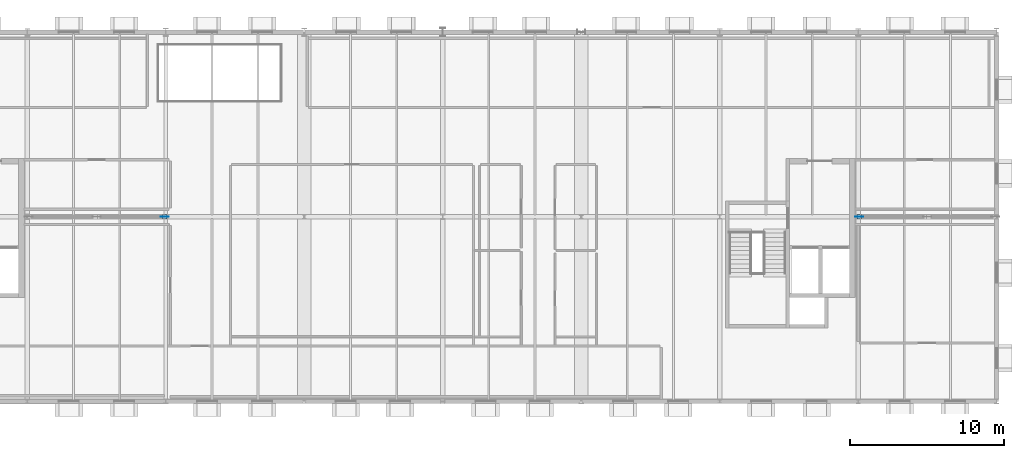
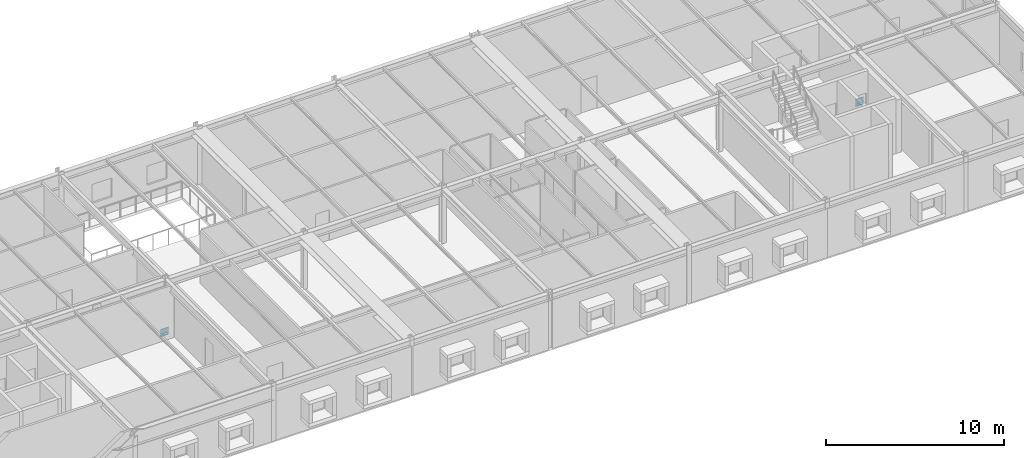
# One storey, part 9 of 17: 4 plates.
"""IFC4 building model written with IfcOpenShell, lengths in metres."""

from ifc_helpers import new_model, si_unit, direction, frame, origin, origin_2d, place, context, subcontext, project, spatial, rectangle, extrude, material, layer, layer_set, type_object, element, save


model = new_model("IFC4")

# Units and contexts
model_context = context("Model", 3, precision=1e-05, world=origin(), true_north=direction((0.0, 1.0)))
body_context = subcontext(model_context, "Body", "Model", "MODEL_VIEW")
ifc_project = project(units=[si_unit("LENGTHUNIT", "METRE"), si_unit("AREAUNIT", "SQUARE_METRE"), si_unit("VOLUMEUNIT", "CUBIC_METRE"), si_unit("PLANEANGLEUNIT", "RADIAN"), si_unit("MASSUNIT", "GRAM", prefix="KILO")], contexts=[model_context])

# Site, building, storey
site_placement = place(None, origin())
site = spatial("IfcSite", under=ifc_project, at=site_placement, CompositionType="ELEMENT")
building_placement = place(site_placement, origin())
building = spatial("IfcBuilding", under=site, at=building_placement, Name="Montelvaro Courts of Justice", CompositionType="ELEMENT")
storey_placement = place(building_placement, frame((0.0, 0.0, 31.39990234375)))
storey = spatial("IfcBuildingStorey", under=building, at=storey_placement, Name="L07", CompositionType="ELEMENT", Elevation=31.39990234375)

# Plates
ifc_material = material(Name="Steel S355", Category="steel")
ifc_layer_1 = layer(ifc_material, 0.011962890625)
ifc_layer_set_1 = layer_set([ifc_layer_1], Name="Steel S355")
plate_type_1 = type_object("IfcPlateType", Name="EndCapPlate_12", PredefinedType="USERDEFINED", material=ifc_layer_set_1)
for number, where, z_axis, x_axis, name in (
    (1, (71.919921875, 12.0, 0.07421875), (0.0, 0.0, 1.0), (1.0, 0.0, 0.0), "Brace End Cap Plate CP-01 CBF1-L07-2A"),
    (2, (117.080078125, 12.0, 0.07421875), (0.0, 0.0, 1.0), (1.0, 0.0, 0.0), "Brace End Cap Plate CP-01 CBF2-L07-1A"),
):
    element("IfcPlate", number, at=place(storey_placement, frame(where, z_axis=z_axis, x_axis=x_axis)), inside=storey, type_object=plate_type_1, Name=name, ObjectType="GUSSET PLATE", PredefinedType="USERDEFINED", context=body_context, shape_type="SweptSolid", body=[
        extrude(rectangle(XDim=0.300048828125, YDim=0.300048828125, at=origin_2d()), origin(), (0.0, 0.0, 1.0), 0.011962890625),
    ])
ifc_layer_2 = layer(ifc_material, 0.02001953125)
ifc_layer_set_2 = layer_set([ifc_layer_2], Name="Steel S355")
plate_type_2 = type_object("IfcPlateType", Name="GussetPlate_20", PredefinedType="USERDEFINED", material=ifc_layer_set_2)
for number, where, z_axis, x_axis, name in (
    (3, (71.919921875, 12.0, -0.099853515625), (0.0, 0.0, 1.0), (1.0, 0.0, 0.0), "Chevron Brace Base Gusset Plate GP-01 CBF1-L07-B2"),
    (4, (117.080078125, 12.0, -0.099853515625), (0.0, 0.0, 1.0), (1.0, 0.0, 0.0), "Chevron Brace Base Gusset Plate GP-01 CBF2-L07-B1"),
):
    element("IfcPlate", number, at=place(storey_placement, frame(where, z_axis=z_axis, x_axis=x_axis)), inside=storey, type_object=plate_type_2, Name=name, ObjectType="GUSSET PLATE", PredefinedType="USERDEFINED", context=body_context, shape_type="SweptSolid", body=[
        extrude(rectangle(XDim=0.52001953125, YDim=0.02001953125, at=origin_2d()), origin(), (0.0, 0.0, 1.0), 0.52001953125),
    ])

save(model, "model.ifc")
